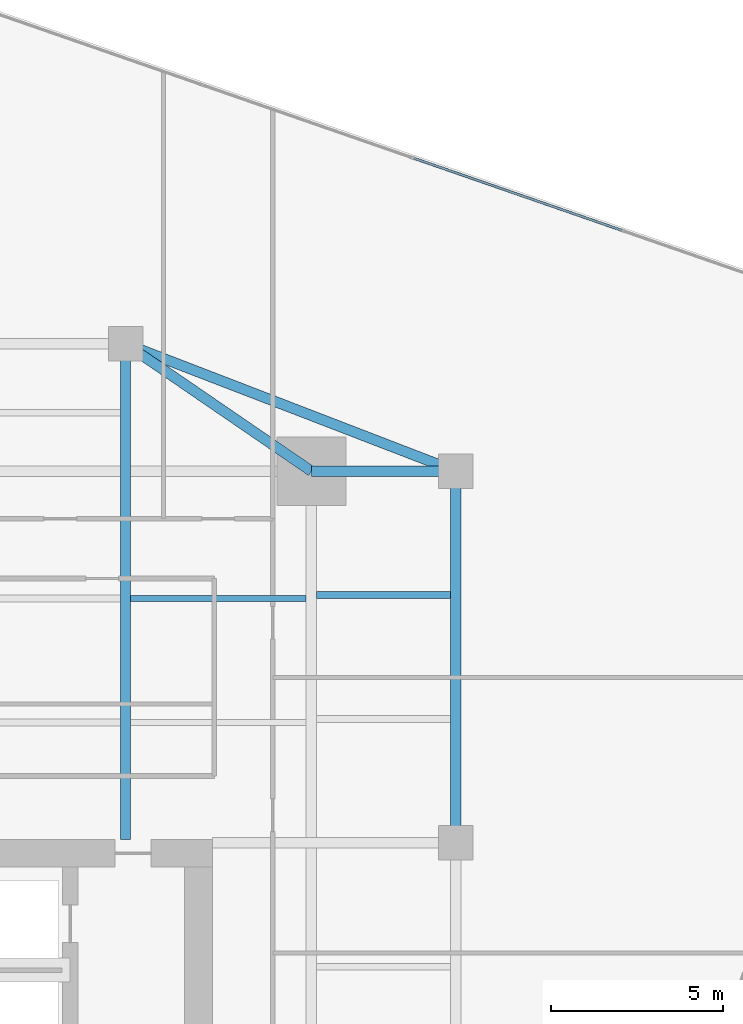
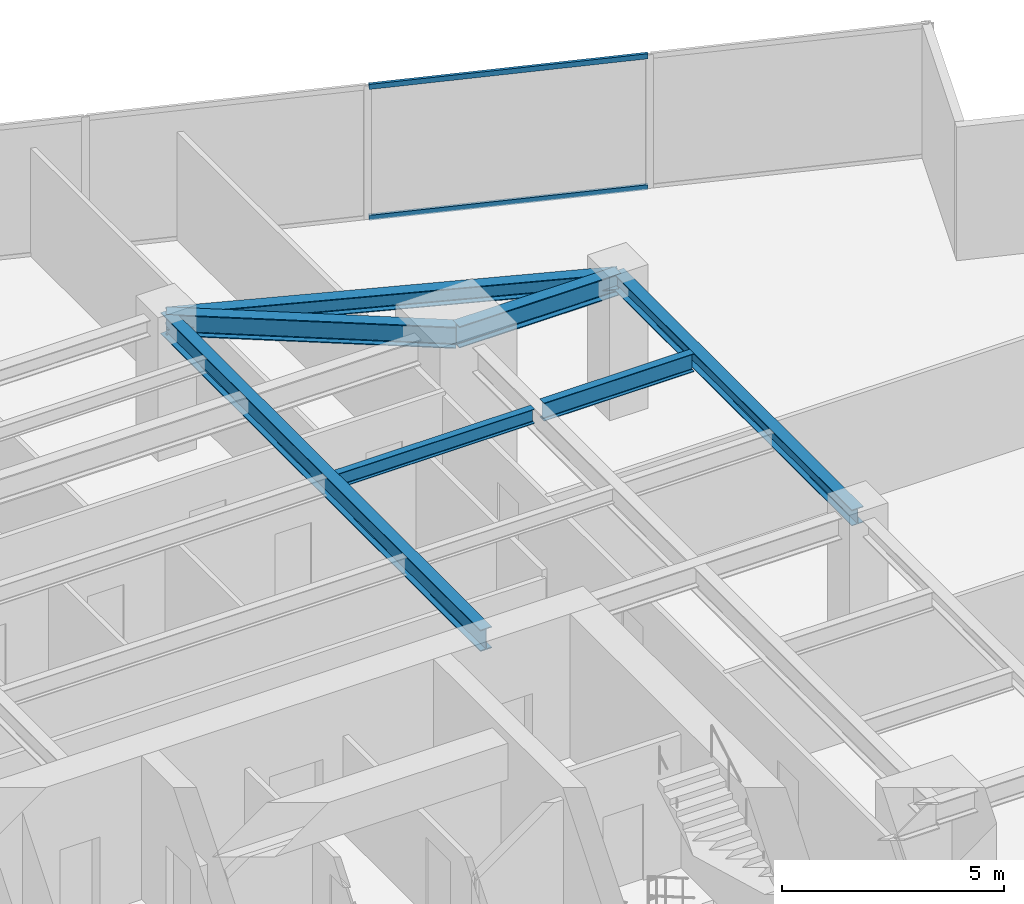
# One storey, part 19 of 27: 7 beams, 2 members, 1 element without a shape of its own.
"""IFC4 building model written with IfcOpenShell, lengths in metres."""

from ifc_helpers import new_model, si_unit, direction, frame, origin, origin_2d, place, context, subcontext, project, spatial, hollow_rectangle, i_section, extrude, source, transform, mapped, material, material_profile, profile_set, type_object, type_shapes, element, aggregate, save


model = new_model("IFC4")

# Units and contexts
model_context = context("Model", 3, precision=1e-05, world=origin(), true_north=direction((0.0, 1.0)))
body_context = subcontext(model_context, "Body", "Model", "MODEL_VIEW")
ifc_project = project(units=[si_unit("LENGTHUNIT", "METRE"), si_unit("AREAUNIT", "SQUARE_METRE"), si_unit("VOLUMEUNIT", "CUBIC_METRE"), si_unit("PLANEANGLEUNIT", "RADIAN"), si_unit("MASSUNIT", "GRAM", prefix="KILO")], contexts=[model_context])

# Site, building, storey
site_placement = place(None, origin())
site = spatial("IfcSite", under=ifc_project, at=site_placement, CompositionType="ELEMENT")
building_placement = place(site_placement, origin())
building = spatial("IfcBuilding", under=site, at=building_placement, Name="Krantzveldt Concourse Tower", CompositionType="ELEMENT")
storey_placement = place(building_placement, frame((0.0, 0.0, 125.60009765625)))
storey = spatial("IfcBuildingStorey", under=building, at=storey_placement, Name="L30", CompositionType="ELEMENT", Elevation=125.60009765625)

# Beams
ifc_material_1 = material(Name="Steel S355JR", Category="steel")
ifc_material_profile_1 = material_profile(ifc_material_1, i_section(OverallWidth=0.300048828125, OverallDepth=0.590087890625, WebThickness=0.012939453125, FlangeThickness=0.02490234375, FilletRadius=0.027099609375, at=origin_2d()), Name="Steel S355JR", Category="steel")
ifc_profile_set_1 = profile_set([ifc_material_profile_1], Name="Steel S355JR - HEA 600")
beam_type_1 = type_object("IfcBeamType", Name="BM-B-HEA600", PredefinedType="BEAM", material=ifc_profile_set_1)
shared_shape_1 = source(origin(), body_context, "Body", "SweptSolid", [
    extrude(i_section(OverallWidth=0.300048828125, OverallDepth=0.590087890625, WebThickness=0.012939453125, FlangeThickness=0.02490234375, FilletRadius=0.027099609375, at=origin_2d()), origin(), (0.0, 0.0, 1.0), 14.39990234375),
])
beam_1_placement = place(storey_placement, frame((41.39990234375, 26.800048828125, 3.375), z_axis=(0.0, 1.0, 0.0), x_axis=(-1.0, 0.0, 0.0)))
element("IfcBeam", 1, at=beam_1_placement, inside=storey, type_object=beam_type_1, Name="L30 Tower Girder BG-CNE", PredefinedType="BEAM", context=body_context, shape_type="MappedRepresentation", body=[
    mapped(shared_shape_1, transform((0.0, 0.0, 0.0), x_axis=(1.0, 0.0, 0.0), y_axis=(0.0, 1.0, 0.0), z_axis=(0.0, 0.0, 1.0), scale=1.0)),
])
ifc_material_profile_2 = material_profile(ifc_material_1, i_section(OverallWidth=0.300048828125, OverallDepth=0.43994140625, WebThickness=0.011474609375, FlangeThickness=0.02099609375, FilletRadius=0.027099609375, at=origin_2d()), Name="Steel S355JR", Category="steel")
ifc_profile_set_2 = profile_set([ifc_material_profile_2], Name="Steel S355JR - HEA 450")
beam_type_2 = type_object("IfcBeamType", Name="BM-SP-HEA450", PredefinedType="SPANDREL", material=ifc_profile_set_2)
shared_shape_2 = source(origin(), body_context, "Body", "SweptSolid", [
    extrude(i_section(OverallWidth=0.300048828125, OverallDepth=0.43994140625, WebThickness=0.011474609375, FlangeThickness=0.02099609375, FilletRadius=0.027099609375, at=origin_2d()), origin(), (0.0, 0.0, 1.0), 10.800048828125),
])
beam_2_placement = place(storey_placement, frame((51.0, 37.5, 3.449951171875), z_axis=(0.0, -1.0, 0.0), x_axis=(1.0, 0.0, 0.0)))
element("IfcBeam", 2, at=beam_2_placement, inside=storey, type_object=beam_type_2, Name="L30 Tower Girder SP-R06", PredefinedType="SPANDREL", context=body_context, shape_type="MappedRepresentation", body=[
    mapped(shared_shape_2, transform((0.0, 0.0, 0.0), x_axis=(1.0, 0.0, 0.0), y_axis=(0.0, 1.0, 0.0), z_axis=(0.0, 0.0, 1.0), scale=1.0)),
])
shared_shape_3 = source(origin(), body_context, "Body", "SweptSolid", [
    extrude(i_section(OverallWidth=0.300048828125, OverallDepth=0.43994140625, WebThickness=0.011474609375, FlangeThickness=0.02099609375, FilletRadius=0.027099609375, at=origin_2d()), origin(), (0.0, 0.0, 1.0), 10.288330078125),
])
type_shapes(beam_type_2, [shared_shape_2, shared_shape_3])
beam_3_placement = place(storey_placement, frame((41.39990234375, 41.199951171875, 3.449951171875), z_axis=(0.933097690408, -0.359622997257, 0.0), x_axis=(0.359622997257, 0.933097690408, 0.0)))
element("IfcBeam", 3, at=beam_3_placement, inside=storey, type_object=beam_type_2, Name="L30 Tower Girder SP-R05", PredefinedType="SPANDREL", context=body_context, shape_type="MappedRepresentation", body=[
    mapped(shared_shape_3, transform((0.0, 0.0, 0.0), x_axis=(1.0, 0.0, 0.0), y_axis=(0.0, 1.0, 0.0), z_axis=(0.0, 0.0, 1.0), scale=1.0)),
])
shared_shape_4 = source(origin(), body_context, "Body", "SweptSolid", [
    extrude(i_section(OverallWidth=0.300048828125, OverallDepth=0.590087890625, WebThickness=0.012939453125, FlangeThickness=0.02490234375, FilletRadius=0.027099609375, at=origin_2d()), origin(), (0.0, 0.0, 1.0), 4.199951171875),
])
beam_4_placement = place(storey_placement, frame((46.800048828125, 37.5, 3.375), z_axis=(1.0, 0.0, 0.0), x_axis=(0.0, 1.0, 0.0)))
element("IfcBeam", 4, at=beam_4_placement, inside=storey, type_object=beam_type_1, Name="L30 Tower Girder BR-RR3", PredefinedType="BEAM", context=body_context, shape_type="MappedRepresentation", body=[
    mapped(shared_shape_4, transform((0.0, 0.0, 0.0), x_axis=(1.0, 0.0, 0.0), y_axis=(0.0, 1.0, 0.0), z_axis=(0.0, 0.0, 1.0), scale=1.0)),
])
shared_shape_5 = source(origin(), body_context, "Body", "SweptSolid", [
    extrude(i_section(OverallWidth=0.300048828125, OverallDepth=0.590087890625, WebThickness=0.012939453125, FlangeThickness=0.02490234375, FilletRadius=0.027099609375, at=origin_2d()), origin(), (0.0, 0.0, 1.0), 6.546142578125),
])
type_shapes(beam_type_1, [shared_shape_1, shared_shape_4, shared_shape_5])
beam_5_placement = place(storey_placement, frame((46.800048828125, 37.5, 3.375), z_axis=(-0.824942999484, 0.565215930068, 0.0), x_axis=(-0.565215930068, -0.824942999484, 0.0)))
element("IfcBeam", 5, at=beam_5_placement, inside=storey, type_object=beam_type_1, Name="L30 Tower Girder BR-RR4", PredefinedType="BEAM", context=body_context, shape_type="MappedRepresentation", body=[
    mapped(shared_shape_5, transform((0.0, 0.0, 0.0), x_axis=(1.0, 0.0, 0.0), y_axis=(0.0, 1.0, 0.0), z_axis=(0.0, 0.0, 1.0), scale=1.0)),
])
ifc_material_profile_3 = material_profile(ifc_material_1, i_section(OverallWidth=0.179931640625, OverallDepth=0.39990234375, WebThickness=0.008544921875, FlangeThickness=0.013427734375, FilletRadius=0.02099609375, at=origin_2d()), Name="Steel S355JR", Category="steel")
ifc_profile_set_3 = profile_set([ifc_material_profile_3], Name="Steel S355JR - IPE 400")
beam_type_3 = type_object("IfcBeamType", Name="BM-J-IPE400", PredefinedType="JOIST", material=ifc_profile_set_3)
shared_shape_6 = source(origin(), body_context, "Body", "SweptSolid", [
    extrude(i_section(OverallWidth=0.179931640625, OverallDepth=0.39990234375, WebThickness=0.008544921875, FlangeThickness=0.013427734375, FilletRadius=0.02099609375, at=origin_2d()), origin(), (0.0, 0.0, 1.0), 5.099853515625),
])
type_shapes(beam_type_3, [shared_shape_6])
beam_6_placement = place(storey_placement, frame((41.550048828125, 33.800048828125, 3.469970703125), z_axis=(1.0, 0.0, 0.0), x_axis=(0.0, 1.0, 0.0)))
element("IfcBeam", 6, at=beam_6_placement, inside=storey, type_object=beam_type_3, Name="L30 Secondary Floor Joist JN-E2", PredefinedType="JOIST", context=body_context, shape_type="MappedRepresentation", body=[
    mapped(shared_shape_6, transform((0.0, 0.0, 0.0), x_axis=(1.0, 0.0, 0.0), y_axis=(0.0, 1.0, 0.0), z_axis=(0.0, 0.0, 1.0), scale=1.0)),
])
ifc_material_profile_4 = material_profile(ifc_material_1, i_section(OverallWidth=0.199951171875, OverallDepth=0.5, WebThickness=0.01025390625, FlangeThickness=0.01611328125, FilletRadius=0.02099609375, at=origin_2d()), Name="Steel S355JR", Category="steel")
ifc_profile_set_4 = profile_set([ifc_material_profile_4], Name="Steel S355JR - IPE 500")
beam_type_4 = type_object("IfcBeamType", Name="BM-J-IPE500", PredefinedType="JOIST", material=ifc_profile_set_4)
shared_shape_7 = source(origin(), body_context, "Body", "SweptSolid", [
    extrude(i_section(OverallWidth=0.199951171875, OverallDepth=0.5, WebThickness=0.01025390625, FlangeThickness=0.01611328125, FilletRadius=0.02099609375, at=origin_2d()), origin(), (0.0, 0.0, 1.0), 3.900146484375),
])
type_shapes(beam_type_4, [shared_shape_7])
beam_7_placement = place(storey_placement, frame((46.949951171875, 33.89990234375, 3.419921875), z_axis=(1.0, 0.0, 0.0), x_axis=(0.0, 1.0, 0.0)))
element("IfcBeam", 7, at=beam_7_placement, inside=storey, type_object=beam_type_4, Name="L30 Secondary Floor Joist JE-4", PredefinedType="JOIST", context=body_context, shape_type="MappedRepresentation", body=[
    mapped(shared_shape_7, transform((0.0, 0.0, 0.0), x_axis=(1.0, 0.0, 0.0), y_axis=(0.0, 1.0, 0.0), z_axis=(0.0, 0.0, 1.0), scale=1.0)),
])

# Curtain wall, members
ifc_material_2 = material(Name="Anodised aluminium 6063-T6", Category="aluminium")
curtain_wall_type = type_object("IfcCurtainWallType", Name="CW2", PredefinedType="USERDEFINED", material=ifc_material_2)
curtain_wall_placement = place(storey_placement, origin())
curtain_wall = element("IfcCurtainWall", 8, at=curtain_wall_placement, inside=storey, type_object=curtain_wall_type, Name="CW-L30-F10", ObjectType="UNITISED CURTAIN WALL", PredefinedType="USERDEFINED")
ifc_material_profile_5 = material_profile(ifc_material_2, hollow_rectangle(XDim=0.070068359375, YDim=0.139892578125, WallThickness=0.0048828125, at=origin_2d()), Name="Anodised aluminium 6063-T6", Category="aluminium")
ifc_profile_set_5 = profile_set([ifc_material_profile_5], Name="Anodised aluminium 6063-T6 - ALU-TRAN 140x70x5")
member_type = type_object("IfcMemberType", Name="CW-TRN-150", PredefinedType="USERDEFINED", material=ifc_profile_set_5)
shared_shape_8 = source(origin(), body_context, "Body", "SweptSolid", [
    extrude(hollow_rectangle(XDim=0.070068359375, YDim=0.139892578125, WallThickness=0.0048828125, at=origin_2d()), origin(), (0.0, 0.0, 1.0), 6.396728515625),
])
type_shapes(member_type, [shared_shape_8])
member_1_placement = place(storey_placement, frame((55.823486328125, 44.49755859375, 0.034912109375), z_axis=(-0.944809422525, 0.327620443666, 0.0), x_axis=(-0.327620443666, -0.944809422525, 0.0)))
member_1 = element("IfcMember", 9, at=member_1_placement, type_object=member_type, Name="CW-Z12 transom 2.1", ObjectType="TRANSOM", PredefinedType="USERDEFINED", context=body_context, shape_type="MappedRepresentation", body=[
    mapped(shared_shape_8, transform((0.0, 0.0, 0.0), x_axis=(1.0, 0.0, 0.0), y_axis=(0.0, 1.0, 0.0), z_axis=(0.0, 0.0, 1.0), scale=1.0)),
])
member_2_placement = place(storey_placement, frame((55.823486328125, 44.49755859375, 3.635009765625), z_axis=(-0.944809422525, 0.327620443666, 0.0), x_axis=(-0.327620443666, -0.944809422525, 0.0)))
member_2 = element("IfcMember", 10, at=member_2_placement, type_object=member_type, Name="CW-Z12 transom 2.2", ObjectType="TRANSOM", PredefinedType="USERDEFINED", context=body_context, shape_type="MappedRepresentation", body=[
    mapped(shared_shape_8, transform((0.0, 0.0, 0.0), x_axis=(1.0, 0.0, 0.0), y_axis=(0.0, 1.0, 0.0), z_axis=(0.0, 0.0, 1.0), scale=1.0)),
])
aggregate(curtain_wall, [member_1, member_2])

save(model, "model.ifc")
